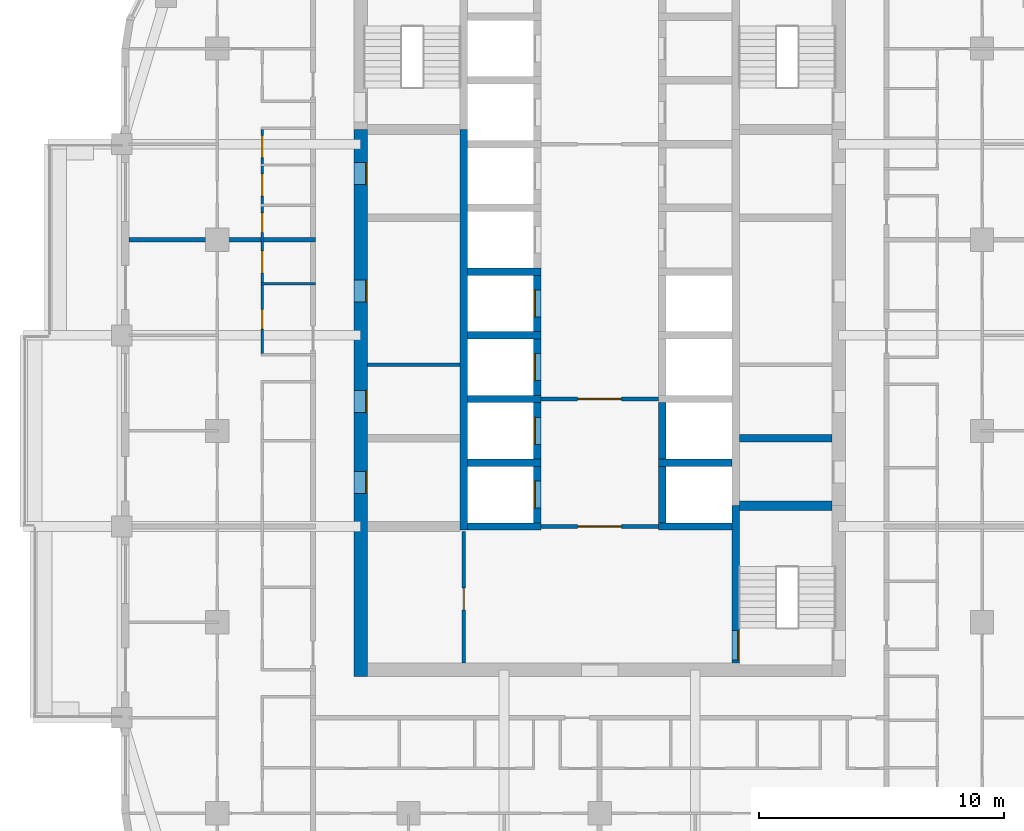
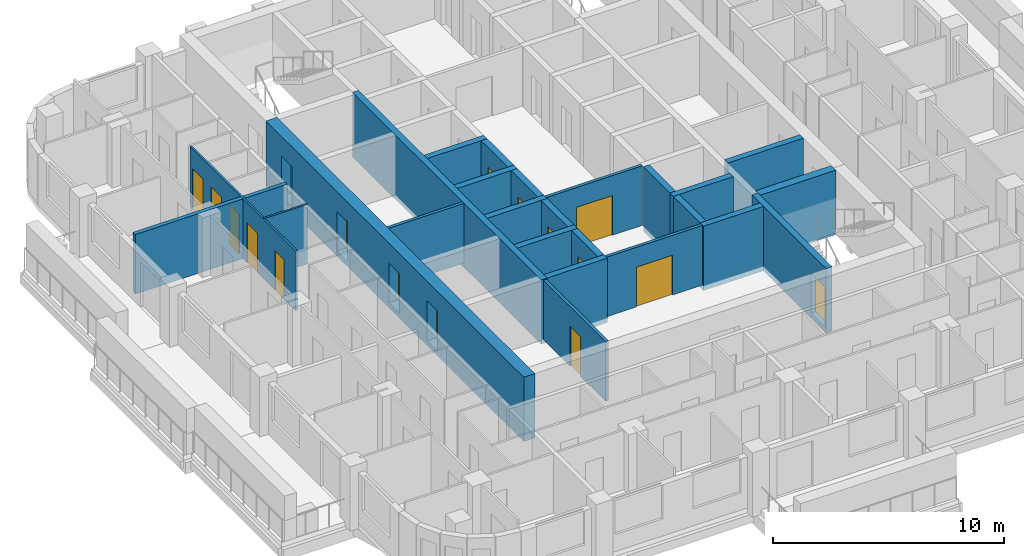
# One storey, part 5 of 14: 25 walls, 17 doors, 17 openings.
"""IFC4 building model written with IfcOpenShell, lengths in metres."""

import ifcopenshell
import ifcopenshell.guid

model = None  # the IFC model being written
_history = None  # IfcOwnerHistory: only IFC2X3 demands one
_inside = {}  # id of a spatial element -> (the spatial element, [elements in it])
_under = {}  # id of a project, library or spatial element -> (it, [spatial elements below it])
_declared = {}  # id of a project -> (the project, [libraries it declares])
_typed = {}  # id of a type object -> (the type object, [elements of that type])
_made_of = {}  # id of a material, layer set ... -> (it, [elements and type objects made of it])


def new_model(schema):
    """Start an empty IFC model of exactly this schema.

    Asked for "IFC4X3", IfcOpenShell would pick the latest addendum, in which some entities
    have other attributes; the version numbers below select the first issue.
    IFC2X3 requires an IfcOwnerHistory on every rooted entity: one is made here for all.
    """
    global model, _history
    if schema == "IFC4X3":
        model = ifcopenshell.file(schema_version=(4, 3, 0, 0))
    else:
        model = ifcopenshell.file(schema=schema)
    _inside.clear()
    _under.clear()
    _declared.clear()
    _typed.clear()
    _made_of.clear()
    _history = None
    if model.schema == "IFC2X3":
        org = make("IfcOrganization", Name="unknown")
        user = make(
            "IfcPersonAndOrganization",
            ThePerson=make("IfcPerson", FamilyName="unknown"),
            TheOrganization=org,
        )
        app = make(
            "IfcApplication",
            ApplicationDeveloper=org,
            Version="unknown",
            ApplicationFullName="unknown",
            ApplicationIdentifier="unknown",
        )
        _history = make(
            "IfcOwnerHistory",
            OwningUser=user,
            OwningApplication=app,
            ChangeAction="ADDED",
            CreationDate=0,
        )
    return model


def make(cls, **values):
    """One entity of the class cls with the attributes given. An attribute that is None is left unset."""
    return model.create_entity(
        cls, **{name: value for name, value in values.items() if value is not None}
    )


def rooted(cls, **values):
    """An entity with a GlobalId (a new one), such as an element, a storey or a relation."""
    return make(cls, GlobalId=ifcopenshell.guid.new(), OwnerHistory=_history, **values)


def si_unit(unit_type, name, prefix=None):
    """IfcSIUnit, for example si_unit("LENGTHUNIT", "METRE", prefix="MILLI")."""
    return make("IfcSIUnit", UnitType=unit_type, Prefix=prefix, Name=name)


def assignment(units):
    """IfcUnitAssignment: the units of a project."""
    return None if units is None else make("IfcUnitAssignment", Units=units)


def point(xyz):
    """IfcCartesianPoint."""
    return None if xyz is None else make("IfcCartesianPoint", Coordinates=xyz)


def direction(xyz):
    """IfcDirection."""
    return None if xyz is None else make("IfcDirection", DirectionRatios=xyz)


def frame(location, z_axis=None, x_axis=None):
    """IfcAxis2Placement3D, a coordinate frame: its origin and axes. An axis left out is left unset."""
    return make(
        "IfcAxis2Placement3D",
        Location=point(location),
        Axis=direction(z_axis),
        RefDirection=direction(x_axis),
    )


def frame_2d(location, x_axis=None):
    """IfcAxis2Placement2D, a coordinate frame in the plane: its origin and x axis."""
    return make(
        "IfcAxis2Placement2D", Location=point(location), RefDirection=direction(x_axis)
    )


def origin():
    """The frame at (0, 0, 0) with its axes left unset."""
    return frame((0.0, 0.0, 0.0))


def place(relative_to, where):
    """IfcLocalPlacement: puts the frame where relative to a parent placement (None: the world)."""
    return make(
        "IfcLocalPlacement", PlacementRelTo=relative_to, RelativePlacement=where
    )


def context(
    kind, dimensions, precision=None, world=None, true_north=None, identifier=None
):
    """IfcGeometricRepresentationContext, for example the 3D "Model" context."""
    return make(
        "IfcGeometricRepresentationContext",
        ContextIdentifier=identifier,
        ContextType=kind,
        CoordinateSpaceDimension=dimensions,
        Precision=precision,
        WorldCoordinateSystem=world,
        TrueNorth=true_north,
    )


def subcontext(parent, identifier, kind, view, scale=None):
    """IfcGeometricRepresentationSubContext, for example "Body" below "Model"."""
    return make(
        "IfcGeometricRepresentationSubContext",
        ContextIdentifier=identifier,
        ContextType=kind,
        ParentContext=parent,
        TargetScale=scale,
        TargetView=view,
    )


def project(units=None, contexts=None):
    """IfcProject with its units and contexts."""
    return rooted(
        "IfcProject",
        Name="project",
        RepresentationContexts=contexts,
        UnitsInContext=assignment(units),
    )


def spatial(cls, under=None, at=None, **own):
    """A site, building, storey or space (cls), placed at a placement, below another one or the project."""
    s = rooted(cls, ObjectPlacement=at, **own)
    if under is not None:
        _under.setdefault(under.id(), (under, []))[1].append(s)
    return s


def profile(cls, at=None, kind="AREA", **sizes):
    """A parametric profile (cls). Its sizes go by their IFC names, for example OverallWidth=200.0."""
    return make(cls, ProfileType=kind, Position=at, **sizes)


def rectangle(**sizes):
    """IfcRectangleProfileDef."""
    return profile("IfcRectangleProfileDef", **sizes)


def extrude(swept, where, along, depth):
    """IfcExtrudedAreaSolid: the profile swept, set in the frame where, extruded along a direction by depth."""
    return make(
        "IfcExtrudedAreaSolid",
        SweptArea=swept,
        Position=where,
        ExtrudedDirection=direction(along),
        Depth=depth,
    )


def shape(context_of_items, identifier, shape_type, items):
    """IfcShapeRepresentation: the items that make up one representation, for example the "Body"."""
    return make(
        "IfcShapeRepresentation",
        ContextOfItems=context_of_items,
        RepresentationIdentifier=identifier,
        RepresentationType=shape_type,
        Items=items,
    )


def material(Name=None, Category=None):
    """IfcMaterial."""
    return make("IfcMaterial", Name=Name, Category=Category)


def layer(
    of_material, thickness, ventilated=None, Name=None, Category=None, Priority=None
):
    """IfcMaterialLayer: one layer of a wall or slab, of a material (None: an air gap)."""
    return make(
        "IfcMaterialLayer",
        Material=of_material,
        LayerThickness=thickness,
        IsVentilated=ventilated,
        Name=Name,
        Category=Category,
        Priority=Priority,
    )


def layer_set(layers, Name=None):
    """IfcMaterialLayerSet."""
    return make("IfcMaterialLayerSet", MaterialLayers=layers, LayerSetName=Name)


def made_of(thing, what):
    """Note that an element or type object is made of a material, layer set ...; save() writes the relation."""
    if what is not None:
        _made_of.setdefault(what.id(), (what, []))[1].append(thing)
    return thing


def type_object(cls, material=None, **own):
    """A type object (cls), such as IfcWallType, which elements share."""
    return made_of(rooted(cls, **own), material)


def element(
    cls,
    number,
    at=None,
    inside=None,
    cuts=None,
    type_object=None,
    material=None,
    context=None,
    identifier="Body",
    shape_type=None,
    held_by="IfcProductDefinitionShape",
    body=None,
    shapes=None,
    **own,
):
    """One element of the class cls, such as IfcWall. Its Tag is "e" and its number.

    at: its placement. inside: the storey or other place that contains it. cuts: it is an
    opening in that element (IfcRelVoidsElement). A single representation is given by context,
    identifier, shape_type and body (its items); several are given by shapes. held_by: the class
    of the entity that holds the representations. save() writes the other relations.
    """
    e = rooted(cls, Tag="e%d" % number, ObjectPlacement=at, **own)
    if body is not None:
        shapes = [shape(context, identifier, shape_type, body)]
    if shapes is not None:
        e.Representation = make(held_by, Representations=shapes)
    if inside is not None:
        _inside.setdefault(inside.id(), (inside, []))[1].append(e)
    if cuts is not None:
        rooted(
            "IfcRelVoidsElement", RelatingBuildingElement=cuts, RelatedOpeningElement=e
        )
    if type_object is not None:
        _typed.setdefault(type_object.id(), (type_object, []))[1].append(e)
    return made_of(e, material)


def fill(opening, filler):
    """IfcRelFillsElement: the door or window that sits in an opening."""
    return rooted(
        "IfcRelFillsElement",
        RelatingOpeningElement=opening,
        RelatedBuildingElement=filler,
    )


def aggregate(whole, parts):
    """IfcRelAggregates: a whole, such as a stair, and the parts it consists of."""
    return rooted("IfcRelAggregates", RelatingObject=whole, RelatedObjects=parts)


def save(model, path):
    """Write the relations noted so far, then the file.

    IfcRelAggregates (storeys below a building ...), IfcRelContainedInSpatialStructure (elements
    in a storey), IfcRelDefinesByType, IfcRelAssociatesMaterial and IfcRelDeclares: one each for
    every whole, place, type object, material and project.
    """
    for whole, parts in _under.values():
        aggregate(whole, parts)
    for where, things in _inside.values():
        rooted(
            "IfcRelContainedInSpatialStructure",
            RelatedElements=things,
            RelatingStructure=where,
        )
    for kind, things in _typed.values():
        rooted("IfcRelDefinesByType", RelatedObjects=things, RelatingType=kind)
    for what, things in _made_of.values():
        rooted("IfcRelAssociatesMaterial", RelatedObjects=things, RelatingMaterial=what)
    for by, libraries in _declared.values():
        rooted("IfcRelDeclares", RelatingContext=by, RelatedDefinitions=libraries)
    model.write(path)


model = new_model("IFC4")

# Units and contexts
model_context = context("Model", 3, precision=1e-05, world=origin(), true_north=direction((0.0, 1.0)))
body_context = subcontext(model_context, "Body", "Model", "MODEL_VIEW")
ifc_project = project(units=[si_unit("LENGTHUNIT", "METRE"), si_unit("AREAUNIT", "SQUARE_METRE"), si_unit("VOLUMEUNIT", "CUBIC_METRE"), si_unit("PLANEANGLEUNIT", "RADIAN"), si_unit("MASSUNIT", "GRAM", prefix="KILO")], contexts=[model_context])

# Site, building, storey
site_placement = place(None, origin())
site = spatial("IfcSite", under=ifc_project, at=site_placement, CompositionType="ELEMENT")
building_placement = place(site_placement, origin())
building = spatial("IfcBuilding", under=site, at=building_placement, Name="Ludao Terraces", CompositionType="ELEMENT")
storey_placement = place(building_placement, frame((0.0, 0.0, 110.10009765625)))
storey = spatial("IfcBuildingStorey", under=building, at=storey_placement, Name="L30", CompositionType="ELEMENT", Elevation=110.10009765625)

# Wall, openings, doors
ifc_material_1 = material(Name="Concrete C60", Category="concrete")
ifc_layer_1 = layer(ifc_material_1, 0.550048828125)
ifc_layer_set_1 = layer_set([ifc_layer_1], Name="Core wall 550 C60")
wall_type_1 = type_object("IfcWallType", Name="Core wall 550 C60", PredefinedType="SOLIDWALL", material=ifc_layer_set_1)
wall_1_placement = place(storey_placement, frame((75.25, 54.97509765625, -0.25), z_axis=(0.0, 0.0, 1.0), x_axis=(0.0, 1.0, 0.0)))
wall_1 = element("IfcWall", 1, at=wall_1_placement, inside=storey, type_object=wall_type_1, Name="Core wall L30 outer-W", PredefinedType="SOLIDWALL", context=body_context, shape_type="SweptSolid", body=[
    extrude(rectangle(XDim=22.324951171875, YDim=0.550048828125, at=frame_2d((11.16259765625, 0.0))), origin(), (0.0, 0.0, 1.0), 3.39990234375),
])
opening_1_placement = place(wall_1_placement, frame((7.47509765625, 0.0, 0.25)))
opening_1 = element("IfcOpeningElement", 2, at=opening_1_placement, cuts=wall_1, Name="Opening R09-045", PredefinedType="OPENING", context=body_context, shape_type="SweptSolid", body=[
    extrude(rectangle(XDim=0.89990234375, YDim=2.10009765625, at=frame_2d((0.449951171875, 1.050048828125))), frame((0.0, 0.28515625, 0.0), z_axis=(0.0, -1.0, 0.0), x_axis=(1.0, 0.0, 0.0)), (0.0, 0.0, 1.0), 0.570068359375),
])
opening_2_placement = place(wall_1_placement, frame((10.77490234375, 0.0, 0.25)))
opening_2 = element("IfcOpeningElement", 3, at=opening_2_placement, cuts=wall_1, Name="Opening R09-052", PredefinedType="OPENING", context=body_context, shape_type="SweptSolid", body=[
    extrude(rectangle(XDim=0.89990234375, YDim=2.10009765625, at=frame_2d((0.449951171875, 1.050048828125))), frame((0.0, 0.28515625, 0.0), z_axis=(0.0, -1.0, 0.0), x_axis=(1.0, 0.0, 0.0)), (0.0, 0.0, 1.0), 0.570068359375),
])
opening_3_placement = place(wall_1_placement, frame((15.27490234375, 0.0, 0.25)))
opening_3 = element("IfcOpeningElement", 4, at=opening_3_placement, cuts=wall_1, Name="Opening R09-063", PredefinedType="OPENING", context=body_context, shape_type="SweptSolid", body=[
    extrude(rectangle(XDim=0.89990234375, YDim=2.10009765625, at=frame_2d((0.449951171875, 1.050048828125))), frame((0.0, 0.28515625, 0.0), z_axis=(0.0, -1.0, 0.0), x_axis=(1.0, 0.0, 0.0)), (0.0, 0.0, 1.0), 0.570068359375),
])
opening_4_placement = place(wall_1_placement, frame((20.074951171875, 0.0, 0.25)))
opening_4 = element("IfcOpeningElement", 5, at=opening_4_placement, cuts=wall_1, Name="Opening R09-079", PredefinedType="OPENING", context=body_context, shape_type="SweptSolid", body=[
    extrude(rectangle(XDim=0.89990234375, YDim=2.10009765625, at=frame_2d((0.449951171875, 1.050048828125))), frame((0.0, 0.28515625, 0.0), z_axis=(0.0, -1.0, 0.0), x_axis=(1.0, 0.0, 0.0)), (0.0, 0.0, 1.0), 0.570068359375),
])
ifc_material_2 = material(Name="Steel Q235", Category="steel")
door_type_1 = type_object("IfcDoorType", Name="INT Riser door 900", OperationType="SINGLE_SWING_LEFT", PredefinedType="DOOR", material=ifc_material_2)
door_1_placement = place(opening_1_placement, origin())
door_1 = element("IfcDoor", 6, at=door_1_placement, inside=storey, type_object=door_type_1, Name="DOOR 045", OperationType="SINGLE_SWING_RIGHT", OverallHeight=2.10009765625, OverallWidth=0.89990234375, PredefinedType="DOOR", context=body_context, shape_type="SweptSolid", body=[
    extrude(rectangle(XDim=0.89990234375, YDim=2.10009765625, at=frame_2d((0.449951171875, 1.050048828125))), frame((0.0, -0.2099609375, 0.0), z_axis=(0.0, -1.0, 0.0), x_axis=(1.0, 0.0, 0.0)), (0.0, 0.0, 1.0), 0.050048828125),
])
fill(opening_1, door_1)
door_2_placement = place(opening_4_placement, origin())
door_2 = element("IfcDoor", 7, at=door_2_placement, inside=storey, type_object=door_type_1, Name="DOOR 079", OperationType="SINGLE_SWING_LEFT", OverallHeight=2.10009765625, OverallWidth=0.89990234375, PredefinedType="DOOR", context=body_context, shape_type="SweptSolid", body=[
    extrude(rectangle(XDim=0.89990234375, YDim=2.10009765625, at=frame_2d((0.449951171875, 1.050048828125))), frame((0.0, -0.2099609375, 0.0), z_axis=(0.0, -1.0, 0.0), x_axis=(1.0, 0.0, 0.0)), (0.0, 0.0, 1.0), 0.050048828125),
])
fill(opening_4, door_2)
ifc_material_3 = material(Name="Timber door leaf", Category="wood")
door_type_2 = type_object("IfcDoorType", Name="INT Room door 900", OperationType="SINGLE_SWING_LEFT", PredefinedType="DOOR", material=ifc_material_3)
door_3_placement = place(opening_2_placement, origin())
door_3 = element("IfcDoor", 8, at=door_3_placement, inside=storey, type_object=door_type_2, Name="DOOR 052", OperationType="SINGLE_SWING_RIGHT", OverallHeight=2.10009765625, OverallWidth=0.89990234375, PredefinedType="DOOR", context=body_context, shape_type="SweptSolid", body=[
    extrude(rectangle(XDim=0.89990234375, YDim=2.10009765625, at=frame_2d((0.449951171875, 1.050048828125))), frame((0.0, -0.2099609375, 0.0), z_axis=(0.0, -1.0, 0.0), x_axis=(1.0, 0.0, 0.0)), (0.0, 0.0, 1.0), 0.050048828125),
])
fill(opening_2, door_3)
door_4_placement = place(opening_3_placement, origin())
door_4 = element("IfcDoor", 9, at=door_4_placement, inside=storey, type_object=door_type_2, Name="DOOR 063", OperationType="SINGLE_SWING_LEFT", OverallHeight=2.10009765625, OverallWidth=0.89990234375, PredefinedType="DOOR", context=body_context, shape_type="SweptSolid", body=[
    extrude(rectangle(XDim=0.89990234375, YDim=2.10009765625, at=frame_2d((0.449951171875, 1.050048828125))), frame((0.0, -0.2099609375, 0.0), z_axis=(0.0, -1.0, 0.0), x_axis=(1.0, 0.0, 0.0)), (0.0, 0.0, 1.0), 0.050048828125),
])
fill(opening_3, door_4)

# Wall, opening, door
ifc_material_4 = material(Name="Fire-rated gypsum plasterboard", Category="gypsum")
ifc_layer_2 = layer(ifc_material_4, 0.012451171875, Category="gypsum")
ifc_material_5 = material(Name="Mineral wool")
ifc_layer_3 = layer(ifc_material_5, 0.10009765625, Name="insulation")
ifc_layer_4 = layer(ifc_material_2, 0.02490234375, Name="stud")
ifc_layer_5 = layer(ifc_material_4, 0.012451171875, Category="gypsum")
ifc_layer_set_2 = layer_set([ifc_layer_2, ifc_layer_3, ifc_layer_4, ifc_layer_5], Name="INT Core partition 150")
wall_type_2 = type_object("IfcWallType", Name="INT Core partition 150", PredefinedType="PARTITIONING", material=ifc_layer_set_2)
wall_2_placement = place(storey_placement, frame((82.60009765625, 61.10009765625, 0.0), z_axis=(0.0, 0.0, 1.0), x_axis=(1.0, 0.0, 0.0)))
wall_2 = element("IfcWall", 10, at=wall_2_placement, inside=storey, type_object=wall_type_2, Name="PW-L30-PW018", PredefinedType="PARTITIONING", context=body_context, shape_type="SweptSolid", body=[
    extrude(rectangle(XDim=4.800048828125, YDim=0.14990234375, at=frame_2d((2.39990234375, 0.0))), origin(), (0.0, 0.0, 1.0), 3.14990234375),
])
opening_5_placement = place(wall_2_placement, frame((1.5, 0.0, 0.0)))
opening_5 = element("IfcOpeningElement", 11, at=opening_5_placement, cuts=wall_2, Name="Opening R09-041", PredefinedType="OPENING", context=body_context, shape_type="SweptSolid", body=[
    extrude(rectangle(XDim=1.800048828125, YDim=2.10009765625, at=frame_2d((0.89990234375, 1.050048828125))), frame((0.0, 0.0849609375, 0.0), z_axis=(0.0, -1.0, 0.0), x_axis=(1.0, 0.0, 0.0)), (0.0, 0.0, 1.0), 0.169921875),
])
door_type_3 = type_object("IfcDoorType", Name="INT Fire lobby door 1800", OperationType="DOUBLE_DOOR_SINGLE_SWING", PredefinedType="DOOR", material=ifc_material_2)
door_5_placement = place(opening_5_placement, origin())
door_5 = element("IfcDoor", 12, at=door_5_placement, inside=storey, type_object=door_type_3, Name="DOOR 041", OperationType="DOUBLE_DOOR_SINGLE_SWING", OverallHeight=2.10009765625, OverallWidth=1.800048828125, PredefinedType="DOOR", context=body_context, shape_type="SweptSolid", body=[
    extrude(rectangle(XDim=1.800048828125, YDim=2.10009765625, at=frame_2d((0.89990234375, 1.050048828125))), frame((0.0, 0.02490234375, 0.0), z_axis=(0.0, -1.0, 0.0), x_axis=(1.0, 0.0, 0.0)), (0.0, 0.0, 1.0), 0.050048828125),
])
fill(opening_5, door_5)

wall_3_placement = place(storey_placement, frame((82.60009765625, 66.300048828125, 0.0), z_axis=(0.0, 0.0, 1.0), x_axis=(1.0, 0.0, 0.0)))
wall_3 = element("IfcWall", 13, at=wall_3_placement, inside=storey, type_object=wall_type_2, Name="PW-L30-PW024", PredefinedType="PARTITIONING", context=body_context, shape_type="SweptSolid", body=[
    extrude(rectangle(XDim=4.800048828125, YDim=0.14990234375, at=frame_2d((2.39990234375, 0.0))), origin(), (0.0, 0.0, 1.0), 3.14990234375),
])
opening_6_placement = place(wall_3_placement, frame((1.5, 0.0, 0.0)))
opening_6 = element("IfcOpeningElement", 14, at=opening_6_placement, cuts=wall_3, Name="Opening R09-054", PredefinedType="OPENING", context=body_context, shape_type="SweptSolid", body=[
    extrude(rectangle(XDim=1.800048828125, YDim=2.10009765625, at=frame_2d((0.89990234375, 1.050048828125))), frame((0.0, 0.0849609375, 0.0), z_axis=(0.0, -1.0, 0.0), x_axis=(1.0, 0.0, 0.0)), (0.0, 0.0, 1.0), 0.169921875),
])
door_6_placement = place(opening_6_placement, origin())
door_6 = element("IfcDoor", 15, at=door_6_placement, inside=storey, type_object=door_type_3, Name="DOOR 054", OperationType="DOUBLE_DOOR_SINGLE_SWING", OverallHeight=2.10009765625, OverallWidth=1.800048828125, PredefinedType="DOOR", context=body_context, shape_type="SweptSolid", body=[
    extrude(rectangle(XDim=1.800048828125, YDim=2.10009765625, at=frame_2d((0.89990234375, 1.050048828125))), frame((0.0, 0.02490234375, 0.0), z_axis=(0.0, -1.0, 0.0), x_axis=(1.0, 0.0, 0.0)), (0.0, 0.0, 1.0), 0.050048828125),
])
fill(opening_6, door_6)

# Wall
wall_4_placement = place(storey_placement, frame((75.525146484375, 67.699951171875, 0.0), z_axis=(0.0, 0.0, 1.0), x_axis=(1.0, 0.0, 0.0)))
element("IfcWall", 16, at=wall_4_placement, inside=storey, type_object=wall_type_2, Name="PW-L30-PW027", PredefinedType="PARTITIONING", context=body_context, shape_type="SweptSolid", body=[
    extrude(rectangle(XDim=3.77490234375, YDim=0.14990234375, at=frame_2d((1.887451171875, 0.0))), origin(), (0.0, 0.0, 1.0), 3.14990234375),
])

# Wall, opening, door
wall_5_placement = place(storey_placement, frame((79.449951171875, 55.525146484375, 0.0), z_axis=(0.0, 0.0, 1.0), x_axis=(0.0, 1.0, 0.0)))
wall_5 = element("IfcWall", 17, at=wall_5_placement, inside=storey, type_object=wall_type_2, Name="PW-L30-PW059", PredefinedType="PARTITIONING", context=body_context, shape_type="SweptSolid", body=[
    extrude(rectangle(XDim=5.375, YDim=0.14990234375, at=frame_2d((2.6875, 0.0))), origin(), (0.0, 0.0, 1.0), 3.14990234375),
])
opening_7_placement = place(wall_5_placement, frame((2.175048828125, 0.0, 0.0)))
opening_7 = element("IfcOpeningElement", 18, at=opening_7_placement, cuts=wall_5, Name="Opening R09-037", PredefinedType="OPENING", context=body_context, shape_type="SweptSolid", body=[
    extrude(rectangle(XDim=0.89990234375, YDim=2.10009765625, at=frame_2d((0.449951171875, 1.050048828125))), frame((0.0, 0.0849609375, 0.0), z_axis=(0.0, -1.0, 0.0), x_axis=(1.0, 0.0, 0.0)), (0.0, 0.0, 1.0), 0.169921875),
])
door_7_placement = place(opening_7_placement, origin())
door_7 = element("IfcDoor", 19, at=door_7_placement, inside=storey, type_object=door_type_2, Name="DOOR 037", OperationType="SINGLE_SWING_LEFT", OverallHeight=2.10009765625, OverallWidth=0.89990234375, PredefinedType="DOOR", context=body_context, shape_type="SweptSolid", body=[
    extrude(rectangle(XDim=0.89990234375, YDim=2.10009765625, at=frame_2d((0.449951171875, 1.050048828125))), frame((0.0, 0.02490234375, 0.0), z_axis=(0.0, -1.0, 0.0), x_axis=(1.0, 0.0, 0.0)), (0.0, 0.0, 1.0), 0.050048828125),
])
fill(opening_7, door_7)

# Wall
ifc_material_6 = material(Name="Gypsum plasterboard", Category="gypsum")
ifc_layer_6 = layer(ifc_material_6, 0.012451171875, Category="gypsum")
ifc_layer_7 = layer(ifc_material_5, 0.06005859375, Name="insulation")
ifc_layer_8 = layer(ifc_material_2, 0.014892578125, Name="stud")
ifc_layer_9 = layer(ifc_material_6, 0.012451171875, Category="gypsum")
ifc_layer_set_3 = layer_set([ifc_layer_6, ifc_layer_7, ifc_layer_8, ifc_layer_9], Name="INT Partition 100")
wall_type_3 = type_object("IfcWallType", Name="INT Partition 100", PredefinedType="PARTITIONING", material=ifc_layer_set_3)
wall_6_placement = place(storey_placement, frame((71.18017578125, 71.0, 0.0), z_axis=(0.0, 0.0, 1.0), x_axis=(1.0, 0.0, 0.0)))
element("IfcWall", 20, at=wall_6_placement, inside=storey, type_object=wall_type_3, Name="PW-L30-PW034", PredefinedType="PARTITIONING", context=body_context, shape_type="SweptSolid", body=[
    extrude(rectangle(XDim=2.219970703125, YDim=0.10009765625, at=frame_2d((1.10986328125, 0.0))), origin(), (0.0, 0.0, 1.0), 3.14990234375),
])

# Wall, openings, doors
wall_7_placement = place(storey_placement, frame((71.22998046875, 68.150146484375, 0.0), z_axis=(0.0, 0.0, 1.0), x_axis=(0.0, 1.0, 0.0)))
wall_7 = element("IfcWall", 21, at=wall_7_placement, inside=storey, type_object=wall_type_3, Name="PW-L30-PW053", PredefinedType="PARTITIONING", context=body_context, shape_type="SweptSolid", body=[
    extrude(rectangle(XDim=9.14990234375, YDim=0.10009765625, at=frame_2d((4.574951171875, 0.0))), origin(), (0.0, 0.0, 1.0), 3.14990234375),
])
opening_8_placement = place(wall_7_placement, frame((1.0, 0.0, 0.0)))
opening_8 = element("IfcOpeningElement", 22, at=opening_8_placement, cuts=wall_7, Name="Opening R09-061", PredefinedType="OPENING", context=body_context, shape_type="SweptSolid", body=[
    extrude(rectangle(XDim=0.800048828125, YDim=2.10009765625, at=frame_2d((0.39990234375, 1.050048828125))), frame((0.0, 0.06005859375, 0.0), z_axis=(0.0, -1.0, 0.0), x_axis=(1.0, 0.0, 0.0)), (0.0, 0.0, 1.0), 0.1201171875),
])
opening_9_placement = place(wall_7_placement, frame((3.300048828125, 0.0, 0.0)))
opening_9 = element("IfcOpeningElement", 23, at=opening_9_placement, cuts=wall_7, Name="Opening R09-068", PredefinedType="OPENING", context=body_context, shape_type="SweptSolid", body=[
    extrude(rectangle(XDim=0.89990234375, YDim=2.10009765625, at=frame_2d((0.449951171875, 1.050048828125))), frame((0.0, 0.06005859375, 0.0), z_axis=(0.0, -1.0, 0.0), x_axis=(1.0, 0.0, 0.0)), (0.0, 0.0, 1.0), 0.1201171875),
])
opening_10_placement = place(wall_7_placement, frame((4.949951171875, 0.0, 0.0)))
opening_10 = element("IfcOpeningElement", 24, at=opening_10_placement, cuts=wall_7, Name="Opening R09-071", PredefinedType="OPENING", context=body_context, shape_type="SweptSolid", body=[
    extrude(rectangle(XDim=0.800048828125, YDim=2.10009765625, at=frame_2d((0.39990234375, 1.050048828125))), frame((0.0, 0.06005859375, 0.0), z_axis=(0.0, -1.0, 0.0), x_axis=(1.0, 0.0, 0.0)), (0.0, 0.0, 1.0), 0.1201171875),
])
opening_11_placement = place(wall_7_placement, frame((6.425048828125, 0.0, 0.0)))
opening_11 = element("IfcOpeningElement", 25, at=opening_11_placement, cuts=wall_7, Name="Opening R09-076", PredefinedType="OPENING", context=body_context, shape_type="SweptSolid", body=[
    extrude(rectangle(XDim=0.89990234375, YDim=2.10009765625, at=frame_2d((0.449951171875, 1.050048828125))), frame((0.0, 0.06005859375, 0.0), z_axis=(0.0, -1.0, 0.0), x_axis=(1.0, 0.0, 0.0)), (0.0, 0.0, 1.0), 0.1201171875),
])
opening_12_placement = place(wall_7_placement, frame((8.0, 0.0, 0.0)))
opening_12 = element("IfcOpeningElement", 26, at=opening_12_placement, cuts=wall_7, Name="Opening R09-082", PredefinedType="OPENING", context=body_context, shape_type="SweptSolid", body=[
    extrude(rectangle(XDim=0.89990234375, YDim=2.10009765625, at=frame_2d((0.449951171875, 1.050048828125))), frame((0.0, 0.06005859375, 0.0), z_axis=(0.0, -1.0, 0.0), x_axis=(1.0, 0.0, 0.0)), (0.0, 0.0, 1.0), 0.1201171875),
])
door_type_4 = type_object("IfcDoorType", Name="INT Bathroom door 900", OperationType="SINGLE_SWING_LEFT", PredefinedType="DOOR", material=ifc_material_3)
door_8_placement = place(opening_9_placement, origin())
door_8 = element("IfcDoor", 27, at=door_8_placement, inside=storey, type_object=door_type_4, Name="DOOR 068", OperationType="SINGLE_SWING_RIGHT", OverallHeight=2.10009765625, OverallWidth=0.89990234375, PredefinedType="DOOR", context=body_context, shape_type="SweptSolid", body=[
    extrude(rectangle(XDim=0.89990234375, YDim=2.10009765625, at=frame_2d((0.449951171875, 1.050048828125))), frame((0.0, 0.02490234375, 0.0), z_axis=(0.0, -1.0, 0.0), x_axis=(1.0, 0.0, 0.0)), (0.0, 0.0, 1.0), 0.050048828125),
])
fill(opening_9, door_8)
door_9_placement = place(opening_11_placement, origin())
door_9 = element("IfcDoor", 28, at=door_9_placement, inside=storey, type_object=door_type_4, Name="DOOR 076", OperationType="SINGLE_SWING_RIGHT", OverallHeight=2.10009765625, OverallWidth=0.89990234375, PredefinedType="DOOR", context=body_context, shape_type="SweptSolid", body=[
    extrude(rectangle(XDim=0.89990234375, YDim=2.10009765625, at=frame_2d((0.449951171875, 1.050048828125))), frame((0.0, 0.02490234375, 0.0), z_axis=(0.0, -1.0, 0.0), x_axis=(1.0, 0.0, 0.0)), (0.0, 0.0, 1.0), 0.050048828125),
])
fill(opening_11, door_9)
door_10_placement = place(opening_12_placement, origin())
door_10 = element("IfcDoor", 29, at=door_10_placement, inside=storey, type_object=door_type_4, Name="DOOR 082", OperationType="SINGLE_SWING_LEFT", OverallHeight=2.10009765625, OverallWidth=0.89990234375, PredefinedType="DOOR", context=body_context, shape_type="SweptSolid", body=[
    extrude(rectangle(XDim=0.89990234375, YDim=2.10009765625, at=frame_2d((0.449951171875, 1.050048828125))), frame((0.0, 0.02490234375, 0.0), z_axis=(0.0, -1.0, 0.0), x_axis=(1.0, 0.0, 0.0)), (0.0, 0.0, 1.0), 0.050048828125),
])
fill(opening_12, door_10)
door_type_5 = type_object("IfcDoorType", Name="INT Store door 800", OperationType="SINGLE_SWING_LEFT", PredefinedType="DOOR", material=ifc_material_3)
door_11_placement = place(opening_8_placement, origin())
door_11 = element("IfcDoor", 30, at=door_11_placement, inside=storey, type_object=door_type_5, Name="DOOR 061", OperationType="SINGLE_SWING_RIGHT", OverallHeight=2.10009765625, OverallWidth=0.800048828125, PredefinedType="DOOR", context=body_context, shape_type="SweptSolid", body=[
    extrude(rectangle(XDim=0.800048828125, YDim=2.10009765625, at=frame_2d((0.39990234375, 1.050048828125))), frame((0.0, 0.02490234375, 0.0), z_axis=(0.0, -1.0, 0.0), x_axis=(1.0, 0.0, 0.0)), (0.0, 0.0, 1.0), 0.050048828125),
])
fill(opening_8, door_11)
door_12_placement = place(opening_10_placement, origin())
door_12 = element("IfcDoor", 31, at=door_12_placement, inside=storey, type_object=door_type_5, Name="DOOR 071", OperationType="SINGLE_SWING_RIGHT", OverallHeight=2.10009765625, OverallWidth=0.800048828125, PredefinedType="DOOR", context=body_context, shape_type="SweptSolid", body=[
    extrude(rectangle(XDim=0.800048828125, YDim=2.10009765625, at=frame_2d((0.39990234375, 1.050048828125))), frame((0.0, 0.02490234375, 0.0), z_axis=(0.0, -1.0, 0.0), x_axis=(1.0, 0.0, 0.0)), (0.0, 0.0, 1.0), 0.050048828125),
])
fill(opening_10, door_12)

# Walls
ifc_material_7 = material(Name="Autoclaved aerated concrete block B06 A3.5", Category="concrete")
ifc_layer_10 = layer(ifc_material_7, 0.199951171875)
ifc_layer_set_4 = layer_set([ifc_layer_10], Name="INT Party wall 200")
wall_type_4 = type_object("IfcWallType", Name="INT Party wall 200", PredefinedType="PARTITIONING", material=ifc_layer_set_4)
wall_8_placement = place(storey_placement, frame((65.800048828125, 72.800048828125, 0.0), z_axis=(0.0, 0.0, 1.0), x_axis=(1.0, 0.0, 0.0)))
element("IfcWall", 32, at=wall_8_placement, inside=storey, type_object=wall_type_4, Name="PW-L30-PW035", PredefinedType="PARTITIONING", context=body_context, shape_type="SweptSolid", body=[
    extrude(rectangle(XDim=7.60009765625, YDim=0.199951171875, at=frame_2d((3.800048828125, 0.0))), origin(), (0.0, 0.0, 1.0), 3.14990234375),
])
ifc_material_8 = material(Name="Concrete C55", Category="concrete")
ifc_layer_11 = layer(ifc_material_8, 0.300048828125)
ifc_layer_set_5 = layer_set([ifc_layer_11], Name="Shaft wall 300 C55")
wall_type_5 = type_object("IfcWallType", Name="Shaft wall 300 C55", PredefinedType="SOLIDWALL", material=ifc_layer_set_5)
wall_9_placement = place(storey_placement, frame((79.449951171875, 60.949951171875, -0.25), z_axis=(0.0, 0.0, 1.0), x_axis=(0.0, 1.0, 0.0)))
element("IfcWall", 33, at=wall_9_placement, inside=storey, type_object=wall_type_5, Name="Core wall L30 back-W", PredefinedType="SOLIDWALL", context=body_context, shape_type="SweptSolid", body=[
    extrude(rectangle(XDim=16.35009765625, YDim=0.300048828125, at=frame_2d((8.175048828125, 0.0))), origin(), (0.0, 0.0, 1.0), 3.39990234375),
])

# Wall, opening, door
wall_10_placement = place(storey_placement, frame((90.550048828125, 55.52490234375, -0.25), z_axis=(0.0, 0.0, 1.0), x_axis=(0.0, 1.0, 0.0)))
wall_10 = element("IfcWall", 34, at=wall_10_placement, inside=storey, type_object=wall_type_5, Name="Core wall L30 back-E-S3", PredefinedType="SOLIDWALL", context=body_context, shape_type="SweptSolid", body=[
    extrude(rectangle(XDim=6.425048828125, YDim=0.300048828125, at=frame_2d((3.21240234375, 0.0))), origin(), (0.0, 0.0, 1.0), 3.39990234375),
])
opening_13_placement = place(wall_10_placement, frame((0.125, 0.0, 0.25)))
opening_13 = element("IfcOpeningElement", 35, at=opening_13_placement, cuts=wall_10, Name="Opening R09-032", PredefinedType="OPENING", context=body_context, shape_type="SweptSolid", body=[
    extrude(rectangle(XDim=1.199951171875, YDim=2.10009765625, at=frame_2d((0.60009765625, 1.050048828125))), frame((0.0, 0.16015625, 0.0), z_axis=(0.0, -1.0, 0.0), x_axis=(1.0, 0.0, 0.0)), (0.0, 0.0, 1.0), 0.320068359375),
])
door_type_6 = type_object("IfcDoorType", Name="INT Stair door 1200", OperationType="DOUBLE_DOOR_SINGLE_SWING", PredefinedType="DOOR", material=ifc_material_2)
door_13_placement = place(opening_13_placement, origin())
door_13 = element("IfcDoor", 36, at=door_13_placement, inside=storey, type_object=door_type_6, Name="DOOR 032", OperationType="DOUBLE_DOOR_SINGLE_SWING", OverallHeight=2.10009765625, OverallWidth=1.199951171875, PredefinedType="DOOR", context=body_context, shape_type="SweptSolid", body=[
    extrude(rectangle(XDim=1.199951171875, YDim=2.10009765625, at=frame_2d((0.60009765625, 1.050048828125))), frame((0.0, -0.0849609375, 0.0), z_axis=(0.0, -1.0, 0.0), x_axis=(1.0, 0.0, 0.0)), (0.0, 0.0, 1.0), 0.050048828125),
])
fill(opening_13, door_13)

# Wall
wall_11_placement = place(storey_placement, frame((79.60009765625, 61.10009765625, -0.25), z_axis=(0.0, 0.0, 1.0), x_axis=(1.0, 0.0, 0.0)))
element("IfcWall", 37, at=wall_11_placement, inside=storey, type_object=wall_type_5, Name="Core wall L30 div-W1", PredefinedType="SOLIDWALL", context=body_context, shape_type="SweptSolid", body=[
    extrude(rectangle(XDim=3.0, YDim=0.300048828125, at=frame_2d((1.5, 0.0))), origin(), (0.0, 0.0, 1.0), 3.39990234375),
])

# Wall, opening, door
wall_12_placement = place(storey_placement, frame((82.449951171875, 61.25, -0.25), z_axis=(0.0, 0.0, 1.0), x_axis=(0.0, 1.0, 0.0)))
wall_12 = element("IfcWall", 38, at=wall_12_placement, inside=storey, type_object=wall_type_5, Name="Core wall L30 front-W1", PredefinedType="SOLIDWALL", context=body_context, shape_type="SweptSolid", body=[
    extrude(rectangle(XDim=2.300048828125, YDim=0.300048828125, at=frame_2d((1.14990234375, 0.0))), origin(), (0.0, 0.0, 1.0), 3.39990234375),
])
opening_14_placement = place(wall_12_placement, frame((0.60009765625, 0.0, 0.25)))
opening_14 = element("IfcOpeningElement", 39, at=opening_14_placement, cuts=wall_12, Name="Opening LD-LA1", PredefinedType="OPENING", context=body_context, shape_type="SweptSolid", body=[
    extrude(rectangle(XDim=1.10009765625, YDim=2.10009765625, at=frame_2d((0.550048828125, 1.050048828125))), frame((0.0, 0.16015625, 0.0), z_axis=(0.0, -1.0, 0.0), x_axis=(1.0, 0.0, 0.0)), (0.0, 0.0, 1.0), 0.320068359375),
])
ifc_material_9 = material(Name="Stainless steel 304", Category="steel")
door_type_7 = type_object("IfcDoorType", Name="INT Lift landing door 1100", OperationType="SLIDING_TO_LEFT", PredefinedType="DOOR", material=ifc_material_9)
door_14_placement = place(opening_14_placement, origin())
door_14 = element("IfcDoor", 40, at=door_14_placement, inside=storey, type_object=door_type_7, Name="LANDING DOOR LA1 L30", OperationType="SLIDING_TO_RIGHT", OverallHeight=2.10009765625, OverallWidth=1.10009765625, PredefinedType="DOOR", context=body_context, shape_type="SweptSolid", body=[
    extrude(rectangle(XDim=1.10009765625, YDim=2.10009765625, at=frame_2d((0.550048828125, 1.050048828125))), frame((0.0, 0.13525390625, 0.0), z_axis=(0.0, -1.0, 0.0), x_axis=(1.0, 0.0, 0.0)), (0.0, 0.0, 1.0), 0.050048828125),
])
fill(opening_14, door_14)

# Wall
wall_13_placement = place(storey_placement, frame((79.60009765625, 63.699951171875, -0.25), z_axis=(0.0, 0.0, 1.0), x_axis=(1.0, 0.0, 0.0)))
element("IfcWall", 41, at=wall_13_placement, inside=storey, type_object=wall_type_5, Name="Core wall L30 div-W2", PredefinedType="SOLIDWALL", context=body_context, shape_type="SweptSolid", body=[
    extrude(rectangle(XDim=3.0, YDim=0.300048828125, at=frame_2d((1.5, 0.0))), origin(), (0.0, 0.0, 1.0), 3.39990234375),
])

# Wall, opening, door
wall_14_placement = place(storey_placement, frame((82.449951171875, 63.85009765625, -0.25), z_axis=(0.0, 0.0, 1.0), x_axis=(0.0, 1.0, 0.0)))
wall_14 = element("IfcWall", 42, at=wall_14_placement, inside=storey, type_object=wall_type_5, Name="Core wall L30 front-W2", PredefinedType="SOLIDWALL", context=body_context, shape_type="SweptSolid", body=[
    extrude(rectangle(XDim=2.2998046875, YDim=0.300048828125, at=frame_2d((1.14990234375, 0.0))), origin(), (0.0, 0.0, 1.0), 3.39990234375),
])
opening_15_placement = place(wall_14_placement, frame((0.60009765625, 0.0, 0.25)))
opening_15 = element("IfcOpeningElement", 43, at=opening_15_placement, cuts=wall_14, Name="Opening LD-LA2", PredefinedType="OPENING", context=body_context, shape_type="SweptSolid", body=[
    extrude(rectangle(XDim=1.10009765625, YDim=2.10009765625, at=frame_2d((0.550048828125, 1.050048828125))), frame((0.0, 0.16015625, 0.0), z_axis=(0.0, -1.0, 0.0), x_axis=(1.0, 0.0, 0.0)), (0.0, 0.0, 1.0), 0.320068359375),
])
door_15_placement = place(opening_15_placement, origin())
door_15 = element("IfcDoor", 44, at=door_15_placement, inside=storey, type_object=door_type_7, Name="LANDING DOOR LA2 L30", OperationType="SLIDING_TO_RIGHT", OverallHeight=2.10009765625, OverallWidth=1.10009765625, PredefinedType="DOOR", context=body_context, shape_type="SweptSolid", body=[
    extrude(rectangle(XDim=1.10009765625, YDim=2.10009765625, at=frame_2d((0.550048828125, 1.050048828125))), frame((0.0, 0.13525390625, 0.0), z_axis=(0.0, -1.0, 0.0), x_axis=(1.0, 0.0, 0.0)), (0.0, 0.0, 1.0), 0.050048828125),
])
fill(opening_15, door_15)

# Wall
wall_15_placement = place(storey_placement, frame((79.60009765625, 66.300048828125, -0.25), z_axis=(0.0, 0.0, 1.0), x_axis=(1.0, 0.0, 0.0)))
element("IfcWall", 45, at=wall_15_placement, inside=storey, type_object=wall_type_5, Name="Core wall L30 div-W3", PredefinedType="SOLIDWALL", context=body_context, shape_type="SweptSolid", body=[
    extrude(rectangle(XDim=3.0, YDim=0.300048828125, at=frame_2d((1.5, 0.0))), origin(), (0.0, 0.0, 1.0), 3.39990234375),
])

# Wall, opening, door
wall_16_placement = place(storey_placement, frame((82.449951171875, 66.449951171875, -0.25), z_axis=(0.0, 0.0, 1.0), x_axis=(0.0, 1.0, 0.0)))
wall_16 = element("IfcWall", 46, at=wall_16_placement, inside=storey, type_object=wall_type_5, Name="Core wall L30 front-W3", PredefinedType="SOLIDWALL", context=body_context, shape_type="SweptSolid", body=[
    extrude(rectangle(XDim=2.300048828125, YDim=0.300048828125, at=frame_2d((1.14990234375, 0.0))), origin(), (0.0, 0.0, 1.0), 3.39990234375),
])
opening_16_placement = place(wall_16_placement, frame((0.60009765625, 0.0, 0.25)))
opening_16 = element("IfcOpeningElement", 47, at=opening_16_placement, cuts=wall_16, Name="Opening LD-LA3", PredefinedType="OPENING", context=body_context, shape_type="SweptSolid", body=[
    extrude(rectangle(XDim=1.10009765625, YDim=2.10009765625, at=frame_2d((0.550048828125, 1.050048828125))), frame((0.0, 0.16015625, 0.0), z_axis=(0.0, -1.0, 0.0), x_axis=(1.0, 0.0, 0.0)), (0.0, 0.0, 1.0), 0.320068359375),
])
door_16_placement = place(opening_16_placement, origin())
door_16 = element("IfcDoor", 48, at=door_16_placement, inside=storey, type_object=door_type_7, Name="LANDING DOOR LA3 L30", OperationType="SLIDING_TO_RIGHT", OverallHeight=2.10009765625, OverallWidth=1.10009765625, PredefinedType="DOOR", context=body_context, shape_type="SweptSolid", body=[
    extrude(rectangle(XDim=1.10009765625, YDim=2.10009765625, at=frame_2d((0.550048828125, 1.050048828125))), frame((0.0, 0.13525390625, 0.0), z_axis=(0.0, -1.0, 0.0), x_axis=(1.0, 0.0, 0.0)), (0.0, 0.0, 1.0), 0.050048828125),
])
fill(opening_16, door_16)

# Wall
wall_17_placement = place(storey_placement, frame((79.60009765625, 68.89990234375, -0.25), z_axis=(0.0, 0.0, 1.0), x_axis=(1.0, 0.0, 0.0)))
element("IfcWall", 49, at=wall_17_placement, inside=storey, type_object=wall_type_5, Name="Core wall L30 div-W4", PredefinedType="SOLIDWALL", context=body_context, shape_type="SweptSolid", body=[
    extrude(rectangle(XDim=3.0, YDim=0.300048828125, at=frame_2d((1.5, 0.0))), origin(), (0.0, 0.0, 1.0), 3.39990234375),
])

# Wall, opening, door
wall_18_placement = place(storey_placement, frame((82.449951171875, 69.050048828125, -0.25), z_axis=(0.0, 0.0, 1.0), x_axis=(0.0, 1.0, 0.0)))
wall_18 = element("IfcWall", 50, at=wall_18_placement, inside=storey, type_object=wall_type_5, Name="Core wall L30 front-W4", PredefinedType="SOLIDWALL", context=body_context, shape_type="SweptSolid", body=[
    extrude(rectangle(XDim=2.300048828125, YDim=0.300048828125, at=frame_2d((1.14990234375, 0.0))), origin(), (0.0, 0.0, 1.0), 3.39990234375),
])
opening_17_placement = place(wall_18_placement, frame((0.60009765625, 0.0, 0.25)))
opening_17 = element("IfcOpeningElement", 51, at=opening_17_placement, cuts=wall_18, Name="Opening LD-LA4", PredefinedType="OPENING", context=body_context, shape_type="SweptSolid", body=[
    extrude(rectangle(XDim=1.10009765625, YDim=2.10009765625, at=frame_2d((0.550048828125, 1.050048828125))), frame((0.0, 0.16015625, 0.0), z_axis=(0.0, -1.0, 0.0), x_axis=(1.0, 0.0, 0.0)), (0.0, 0.0, 1.0), 0.320068359375),
])
door_17_placement = place(opening_17_placement, origin())
door_17 = element("IfcDoor", 52, at=door_17_placement, inside=storey, type_object=door_type_7, Name="LANDING DOOR LA4 L30", OperationType="SLIDING_TO_LEFT", OverallHeight=2.10009765625, OverallWidth=1.10009765625, PredefinedType="DOOR", context=body_context, shape_type="SweptSolid", body=[
    extrude(rectangle(XDim=1.10009765625, YDim=2.10009765625, at=frame_2d((0.550048828125, 1.050048828125))), frame((0.0, 0.13525390625, 0.0), z_axis=(0.0, -1.0, 0.0), x_axis=(1.0, 0.0, 0.0)), (0.0, 0.0, 1.0), 0.050048828125),
])
fill(opening_17, door_17)

# Walls
for number, where, z_axis, x_axis, name in (
    (53, (79.60009765625, 71.5, -0.25), (0.0, 0.0, 1.0), (1.0, 0.0, 0.0), "Core wall L30 div-W5"),
    (54, (87.39990234375, 61.10009765625, -0.25), (0.0, 0.0, 1.0), (1.0, 0.0, 0.0), "Core wall L30 div-E1"),
):
    element("IfcWall", number, at=place(storey_placement, frame(where, z_axis=z_axis, x_axis=x_axis)), inside=storey, type_object=wall_type_5, Name=name, PredefinedType="SOLIDWALL", context=body_context, shape_type="SweptSolid", body=[
        extrude(rectangle(XDim=3.0, YDim=0.300048828125, at=frame_2d((1.5, 0.0))), origin(), (0.0, 0.0, 1.0), 3.39990234375),
    ])
wall_19_placement = place(storey_placement, frame((87.550048828125, 61.25, -0.25), z_axis=(0.0, 0.0, 1.0), x_axis=(0.0, 1.0, 0.0)))
element("IfcWall", 55, at=wall_19_placement, inside=storey, type_object=wall_type_5, Name="Core wall L30 front-E1", PredefinedType="SOLIDWALL", context=body_context, shape_type="SweptSolid", body=[
    extrude(rectangle(XDim=2.300048828125, YDim=0.300048828125, at=frame_2d((1.14990234375, 0.0))), origin(), (0.0, 0.0, 1.0), 3.39990234375),
])
wall_20_placement = place(storey_placement, frame((87.39990234375, 63.699951171875, -0.25), z_axis=(0.0, 0.0, 1.0), x_axis=(1.0, 0.0, 0.0)))
element("IfcWall", 56, at=wall_20_placement, inside=storey, type_object=wall_type_5, Name="Core wall L30 div-E2", PredefinedType="SOLIDWALL", context=body_context, shape_type="SweptSolid", body=[
    extrude(rectangle(XDim=3.0, YDim=0.300048828125, at=frame_2d((1.5, 0.0))), origin(), (0.0, 0.0, 1.0), 3.39990234375),
])
wall_21_placement = place(storey_placement, frame((87.550048828125, 63.85009765625, -0.25), z_axis=(0.0, 0.0, 1.0), x_axis=(0.0, 1.0, 0.0)))
element("IfcWall", 57, at=wall_21_placement, inside=storey, type_object=wall_type_5, Name="Core wall L30 front-E2", PredefinedType="SOLIDWALL", context=body_context, shape_type="SweptSolid", body=[
    extrude(rectangle(XDim=2.2998046875, YDim=0.300048828125, at=frame_2d((1.14990234375, 0.0))), origin(), (0.0, 0.0, 1.0), 3.39990234375),
])
wall_22_placement = place(storey_placement, frame((90.699951171875, 64.699951171875, -0.25), z_axis=(0.0, 0.0, 1.0), x_axis=(1.0, 0.0, 0.0)))
element("IfcWall", 58, at=wall_22_placement, inside=storey, type_object=wall_type_5, Name="Core wall L30 riser-a-E", PredefinedType="SOLIDWALL", context=body_context, shape_type="SweptSolid", body=[
    extrude(rectangle(XDim=3.775146484375, YDim=0.300048828125, at=frame_2d((1.8876953125, 0.0))), origin(), (0.0, 0.0, 1.0), 3.39990234375),
])
ifc_layer_12 = layer(ifc_material_8, 0.39990234375)
ifc_layer_set_6 = layer_set([ifc_layer_12], Name="Shaft wall 400 C55")
wall_type_6 = type_object("IfcWallType", Name="Shaft wall 400 C55", PredefinedType="SOLIDWALL", material=ifc_layer_set_6)
wall_23_placement = place(storey_placement, frame((90.699951171875, 61.949951171875, -0.25), z_axis=(0.0, 0.0, 1.0), x_axis=(1.0, 0.0, 0.0)))
element("IfcWall", 59, at=wall_23_placement, inside=storey, type_object=wall_type_6, Name="Core wall L30 hall-E", PredefinedType="SOLIDWALL", context=body_context, shape_type="SweptSolid", body=[
    extrude(rectangle(XDim=3.775146484375, YDim=0.39990234375, at=frame_2d((1.8876953125, 0.0))), origin(), (0.0, 0.0, 1.0), 3.39990234375),
])

save(model, "model.ifc")
